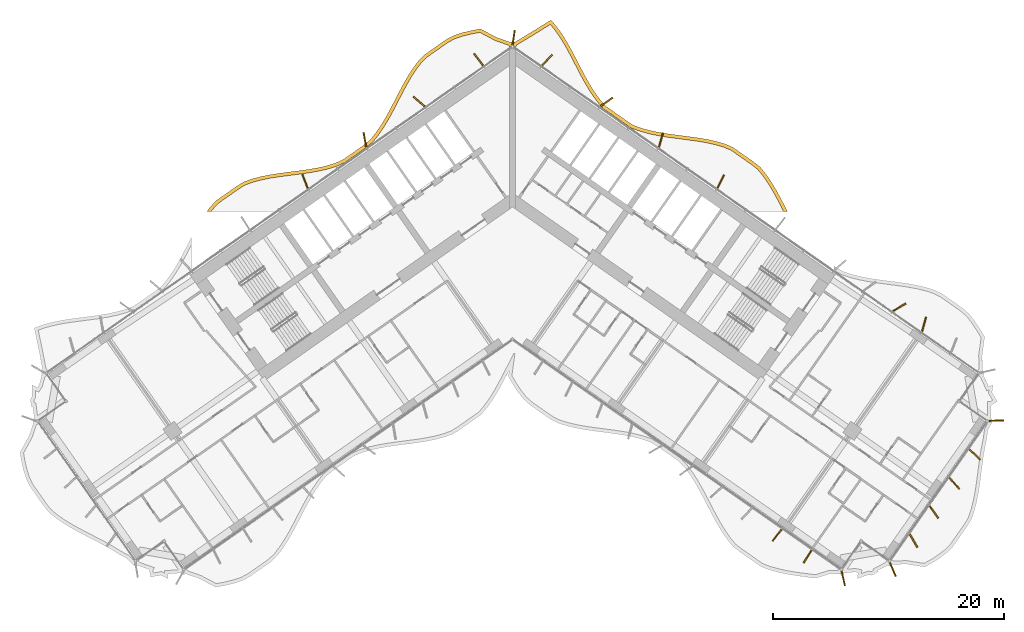
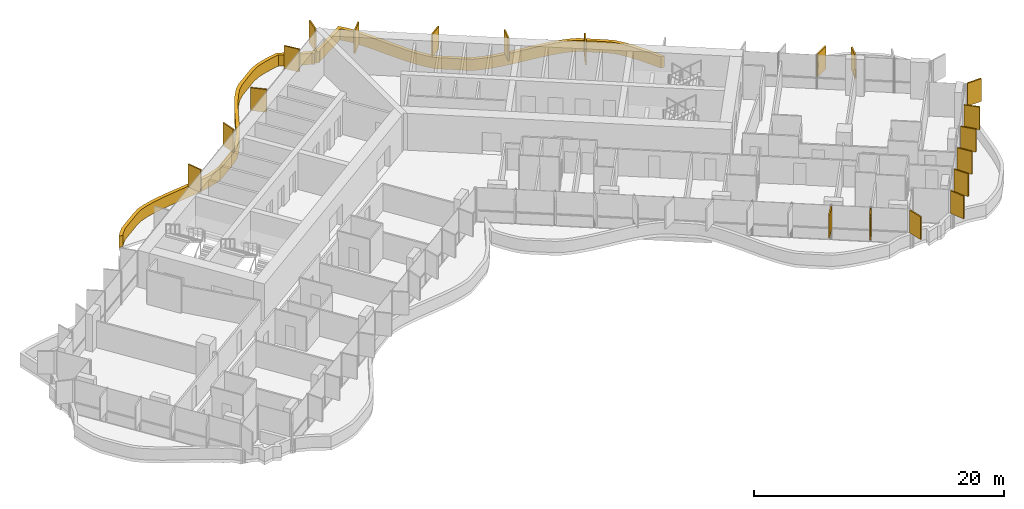
# One storey, part 22 of 23: 21 shading devices.
"""IFC4 building model written with IfcOpenShell, lengths in metres."""

import ifcopenshell
import ifcopenshell.guid

model = None  # the IFC model being written
_history = None  # IfcOwnerHistory: only IFC2X3 demands one
_inside = {}  # id of a spatial element -> (the spatial element, [elements in it])
_under = {}  # id of a project, library or spatial element -> (it, [spatial elements below it])
_declared = {}  # id of a project -> (the project, [libraries it declares])
_typed = {}  # id of a type object -> (the type object, [elements of that type])
_made_of = {}  # id of a material, layer set ... -> (it, [elements and type objects made of it])


def new_model(schema):
    """Start an empty IFC model of exactly this schema.

    Asked for "IFC4X3", IfcOpenShell would pick the latest addendum, in which some entities
    have other attributes; the version numbers below select the first issue.
    IFC2X3 requires an IfcOwnerHistory on every rooted entity: one is made here for all.
    """
    global model, _history
    if schema == "IFC4X3":
        model = ifcopenshell.file(schema_version=(4, 3, 0, 0))
    else:
        model = ifcopenshell.file(schema=schema)
    _inside.clear()
    _under.clear()
    _declared.clear()
    _typed.clear()
    _made_of.clear()
    _history = None
    if model.schema == "IFC2X3":
        org = make("IfcOrganization", Name="unknown")
        user = make(
            "IfcPersonAndOrganization",
            ThePerson=make("IfcPerson", FamilyName="unknown"),
            TheOrganization=org,
        )
        app = make(
            "IfcApplication",
            ApplicationDeveloper=org,
            Version="unknown",
            ApplicationFullName="unknown",
            ApplicationIdentifier="unknown",
        )
        _history = make(
            "IfcOwnerHistory",
            OwningUser=user,
            OwningApplication=app,
            ChangeAction="ADDED",
            CreationDate=0,
        )
    return model


def make(cls, **values):
    """One entity of the class cls with the attributes given. An attribute that is None is left unset."""
    return model.create_entity(
        cls, **{name: value for name, value in values.items() if value is not None}
    )


def rooted(cls, **values):
    """An entity with a GlobalId (a new one), such as an element, a storey or a relation."""
    return make(cls, GlobalId=ifcopenshell.guid.new(), OwnerHistory=_history, **values)


def si_unit(unit_type, name, prefix=None):
    """IfcSIUnit, for example si_unit("LENGTHUNIT", "METRE", prefix="MILLI")."""
    return make("IfcSIUnit", UnitType=unit_type, Prefix=prefix, Name=name)


def assignment(units):
    """IfcUnitAssignment: the units of a project."""
    return None if units is None else make("IfcUnitAssignment", Units=units)


def point(xyz):
    """IfcCartesianPoint."""
    return None if xyz is None else make("IfcCartesianPoint", Coordinates=xyz)


def direction(xyz):
    """IfcDirection."""
    return None if xyz is None else make("IfcDirection", DirectionRatios=xyz)


def frame(location, z_axis=None, x_axis=None):
    """IfcAxis2Placement3D, a coordinate frame: its origin and axes. An axis left out is left unset."""
    return make(
        "IfcAxis2Placement3D",
        Location=point(location),
        Axis=direction(z_axis),
        RefDirection=direction(x_axis),
    )


def frame_2d(location, x_axis=None):
    """IfcAxis2Placement2D, a coordinate frame in the plane: its origin and x axis."""
    return make(
        "IfcAxis2Placement2D", Location=point(location), RefDirection=direction(x_axis)
    )


def origin():
    """The frame at (0, 0, 0) with its axes left unset."""
    return frame((0.0, 0.0, 0.0))


def origin_2d():
    """The frame at (0, 0) in the plane with its x axis left unset."""
    return frame_2d((0.0, 0.0))


def place(relative_to, where):
    """IfcLocalPlacement: puts the frame where relative to a parent placement (None: the world)."""
    return make(
        "IfcLocalPlacement", PlacementRelTo=relative_to, RelativePlacement=where
    )


def context(
    kind, dimensions, precision=None, world=None, true_north=None, identifier=None
):
    """IfcGeometricRepresentationContext, for example the 3D "Model" context."""
    return make(
        "IfcGeometricRepresentationContext",
        ContextIdentifier=identifier,
        ContextType=kind,
        CoordinateSpaceDimension=dimensions,
        Precision=precision,
        WorldCoordinateSystem=world,
        TrueNorth=true_north,
    )


def subcontext(parent, identifier, kind, view, scale=None):
    """IfcGeometricRepresentationSubContext, for example "Body" below "Model"."""
    return make(
        "IfcGeometricRepresentationSubContext",
        ContextIdentifier=identifier,
        ContextType=kind,
        ParentContext=parent,
        TargetScale=scale,
        TargetView=view,
    )


def project(units=None, contexts=None):
    """IfcProject with its units and contexts."""
    return rooted(
        "IfcProject",
        Name="project",
        RepresentationContexts=contexts,
        UnitsInContext=assignment(units),
    )


def spatial(cls, under=None, at=None, **own):
    """A site, building, storey or space (cls), placed at a placement, below another one or the project."""
    s = rooted(cls, ObjectPlacement=at, **own)
    if under is not None:
        _under.setdefault(under.id(), (under, []))[1].append(s)
    return s


def polyline(points):
    """IfcPolyline through the points."""
    return make("IfcPolyline", Points=[point(p) for p in points])


def profile(cls, at=None, kind="AREA", **sizes):
    """A parametric profile (cls). Its sizes go by their IFC names, for example OverallWidth=200.0."""
    return make(cls, ProfileType=kind, Position=at, **sizes)


def rectangle(**sizes):
    """IfcRectangleProfileDef."""
    return profile("IfcRectangleProfileDef", **sizes)


def outline(outer, holes=None, kind="AREA"):
    """IfcArbitraryClosedProfileDef: a profile drawn as a closed curve; with holes, ...WithVoids."""
    if holes is None:
        return make("IfcArbitraryClosedProfileDef", ProfileType=kind, OuterCurve=outer)
    return make(
        "IfcArbitraryProfileDefWithVoids",
        ProfileType=kind,
        OuterCurve=outer,
        InnerCurves=holes,
    )


def extrude(swept, where, along, depth):
    """IfcExtrudedAreaSolid: the profile swept, set in the frame where, extruded along a direction by depth."""
    return make(
        "IfcExtrudedAreaSolid",
        SweptArea=swept,
        Position=where,
        ExtrudedDirection=direction(along),
        Depth=depth,
    )


def shape(context_of_items, identifier, shape_type, items):
    """IfcShapeRepresentation: the items that make up one representation, for example the "Body"."""
    return make(
        "IfcShapeRepresentation",
        ContextOfItems=context_of_items,
        RepresentationIdentifier=identifier,
        RepresentationType=shape_type,
        Items=items,
    )


def material(Name=None, Category=None):
    """IfcMaterial."""
    return make("IfcMaterial", Name=Name, Category=Category)


def layer(
    of_material, thickness, ventilated=None, Name=None, Category=None, Priority=None
):
    """IfcMaterialLayer: one layer of a wall or slab, of a material (None: an air gap)."""
    return make(
        "IfcMaterialLayer",
        Material=of_material,
        LayerThickness=thickness,
        IsVentilated=ventilated,
        Name=Name,
        Category=Category,
        Priority=Priority,
    )


def layer_set(layers, Name=None):
    """IfcMaterialLayerSet."""
    return make("IfcMaterialLayerSet", MaterialLayers=layers, LayerSetName=Name)


def made_of(thing, what):
    """Note that an element or type object is made of a material, layer set ...; save() writes the relation."""
    if what is not None:
        _made_of.setdefault(what.id(), (what, []))[1].append(thing)
    return thing


def type_object(cls, material=None, **own):
    """A type object (cls), such as IfcWallType, which elements share."""
    return made_of(rooted(cls, **own), material)


def element(
    cls,
    number,
    at=None,
    inside=None,
    cuts=None,
    type_object=None,
    material=None,
    context=None,
    identifier="Body",
    shape_type=None,
    held_by="IfcProductDefinitionShape",
    body=None,
    shapes=None,
    **own,
):
    """One element of the class cls, such as IfcWall. Its Tag is "e" and its number.

    at: its placement. inside: the storey or other place that contains it. cuts: it is an
    opening in that element (IfcRelVoidsElement). A single representation is given by context,
    identifier, shape_type and body (its items); several are given by shapes. held_by: the class
    of the entity that holds the representations. save() writes the other relations.
    """
    e = rooted(cls, Tag="e%d" % number, ObjectPlacement=at, **own)
    if body is not None:
        shapes = [shape(context, identifier, shape_type, body)]
    if shapes is not None:
        e.Representation = make(held_by, Representations=shapes)
    if inside is not None:
        _inside.setdefault(inside.id(), (inside, []))[1].append(e)
    if cuts is not None:
        rooted(
            "IfcRelVoidsElement", RelatingBuildingElement=cuts, RelatedOpeningElement=e
        )
    if type_object is not None:
        _typed.setdefault(type_object.id(), (type_object, []))[1].append(e)
    return made_of(e, material)


def aggregate(whole, parts):
    """IfcRelAggregates: a whole, such as a stair, and the parts it consists of."""
    return rooted("IfcRelAggregates", RelatingObject=whole, RelatedObjects=parts)


def save(model, path):
    """Write the relations noted so far, then the file.

    IfcRelAggregates (storeys below a building ...), IfcRelContainedInSpatialStructure (elements
    in a storey), IfcRelDefinesByType, IfcRelAssociatesMaterial and IfcRelDeclares: one each for
    every whole, place, type object, material and project.
    """
    for whole, parts in _under.values():
        aggregate(whole, parts)
    for where, things in _inside.values():
        rooted(
            "IfcRelContainedInSpatialStructure",
            RelatedElements=things,
            RelatingStructure=where,
        )
    for kind, things in _typed.values():
        rooted("IfcRelDefinesByType", RelatedObjects=things, RelatingType=kind)
    for what, things in _made_of.values():
        rooted("IfcRelAssociatesMaterial", RelatedObjects=things, RelatingMaterial=what)
    for by, libraries in _declared.values():
        rooted("IfcRelDeclares", RelatingContext=by, RelatedDefinitions=libraries)
    model.write(path)


model = new_model("IFC4")

# Units and contexts
model_context = context("Model", 3, precision=1e-05, world=origin(), true_north=direction((0.0, 1.0)))
body_context = subcontext(model_context, "Body", "Model", "MODEL_VIEW")
ifc_project = project(units=[si_unit("LENGTHUNIT", "METRE"), si_unit("AREAUNIT", "SQUARE_METRE"), si_unit("VOLUMEUNIT", "CUBIC_METRE"), si_unit("PLANEANGLEUNIT", "RADIAN"), si_unit("MASSUNIT", "GRAM", prefix="KILO")], contexts=[model_context])

# Site, building, storey
site_placement = place(None, origin())
site = spatial("IfcSite", under=ifc_project, at=site_placement, CompositionType="ELEMENT")
building_placement = place(site_placement, origin())
building = spatial("IfcBuilding", under=site, at=building_placement, Name="Tel Ilan Convention Tower", CompositionType="ELEMENT")
storey_placement = place(building_placement, frame((0.0, 0.0, 112.10009765625)))
storey = spatial("IfcBuildingStorey", under=building, at=storey_placement, Name="L24", CompositionType="ELEMENT", Elevation=112.10009765625)

# Shading devices
ifc_material_1 = material(Name="Aluminium, bronze anodised", Category="aluminium")
ifc_layer_1 = layer(ifc_material_1, 0.1201171875)
ifc_layer_set_1 = layer_set([ifc_layer_1], Name="FIN BRONZE 1300x120")
shading_device_type_1 = type_object("IfcShadingDeviceType", Name="FIN BRONZE 1300x120", PredefinedType="USERDEFINED", material=ifc_layer_set_1)
for number, where, z_axis, x_axis, name in (
    (1, (18.054931640625, 0.97119140625, 1.10009765625), (0.0, 0.0, 1.0), (0.448799180206, 0.893632640321, 0.0), "FIN"),
    (2, (12.8701171875, 4.578369140625, 1.10009765625), (0.0, 0.0, 1.0), (0.268172612768, 0.963370878614, 0.0), "FIN"),
    (3, (8.150634765625, 7.883056640625, 1.10009765625), (0.0, 0.0, 1.0), (0.813552070258, 0.581492071294, 0.0), "FIN"),
    (4, (2.98779296875, 11.521240234375, 1.10009765625), (0.0, 0.0, 1.0), (0.686241637865, 0.727373641577, 0.0), "FIN"),
    (5, (0.09423828125, 13.469482421875, 1.10009765625), (0.0, 0.0, 1.0), (0.144931859301, 0.989441638582, 0.0), "FIN"),
    (6, (-2.9365234375, 11.557373046875, 1.10009765625), (0.0, 0.0, 1.0), (-0.612600545196, 0.790392669516, 0.0), "FIN"),
    (7, (-8.1083984375, 7.927734375, 1.10009765625), (0.0, 0.0, 1.0), (-0.753435896329, 0.657521368568, 0.0), "FIN"),
    (8, (-12.811767578125, 4.5966796875, 1.10009765625), (0.0, 0.0, 1.0), (-0.173648177667, 0.984807753012, 0.0), "FIN"),
    (9, (-18.00048828125, 1.001220703125, 1.10009765625), (0.0, 0.0, 1.0), (-0.360177724803, 0.932883704733, 0.0), "FIN"),
    (10, (22.9560546875, -29.6875, 1.10009765625), (0.0, 0.0, 1.0), (-0.612600545196, -0.790392669516, 0.0), "FIN"),
    (11, (25.6025390625, -31.540771484375, 1.10009765625), (0.0, 0.0, 1.0), (-0.533204432798, -0.845986425922, 0.0), "FIN"),
    (12, (28.68994140625, -33.4423828125, 1.10009765625), (0.0, 0.0, 1.0), (0.221170268371, -0.975235208752, 0.0), "FIN"),
    (13, (32.989501953125, -32.67724609375, 1.10009765625), (0.0, 0.0, 1.0), (0.404964282034, -0.914332505315, 0.0), "FIN"),
    (14, (34.7900390625, -30.18896484375, 1.10009765625), (0.0, 0.0, 1.0), (0.5, -0.866025403784, 0.0), "FIN"),
    (15, (36.559326171875, -27.6943359375, 1.10009765625), (0.0, 0.0, 1.0), (0.581492071294, -0.813552070258, 0.0), "FIN"),
    (16, (38.32470703125, -25.194580078125, 1.10009765625), (0.0, 0.0, 1.0), (0.657521368568, -0.753435896329, 0.0), "FIN"),
    (17, (40.086181640625, -22.690185546875, 1.10009765625), (0.0, 0.0, 1.0), (0.727373641577, -0.686241637865, 0.0), "FIN"),
    (18, (41.9853515625, -19.76171875, 1.10009765625), (0.0, 0.0, 1.0), (0.999576950082, 0.029084718749, 0.0), "FIN"),
    (19, (35.702392578125, -11.408935546875, 1.10009765625), (0.0, 0.0, 1.0), (0.268172612768, 0.963370878614, 0.0), "FIN"),
    (20, (33.55712890625, -9.929443359375, 1.10009765625), (0.0, 0.0, 1.0), (0.866025403784, 0.5, 0.0), "FIN"),
):
    element("IfcShadingDevice", number, at=place(storey_placement, frame(where, z_axis=z_axis, x_axis=x_axis)), inside=storey, type_object=shading_device_type_1, Name=name, ObjectType="FIN", PredefinedType="USERDEFINED", context=body_context, shape_type="SweptSolid", body=[
        extrude(rectangle(XDim=1.300048828125, YDim=0.1201171875, at=origin_2d()), origin(), (0.0, 0.0, 1.0), 2.219970703125),
    ])
ifc_material_2 = material(Name="Aluminium, bronze anodised", Category="aluminium")
ifc_layer_2 = layer(ifc_material_2, 0.300048828125)
ifc_layer_set_2 = layer_set([ifc_layer_2], Name="LOUVRE BAND 300x1100")
shading_device_type_2 = type_object("IfcShadingDeviceType", Name="LOUVRE BAND 300x1100", PredefinedType="USERDEFINED", material=ifc_layer_set_2)
shading_device_placement = place(storey_placement, origin())
element("IfcShadingDevice", 21, at=shading_device_placement, inside=storey, type_object=shading_device_type_2, Name="LOUVRE BAND 20.02", ObjectType="LOUVRE", PredefinedType="USERDEFINED", context=body_context, shape_type="SweptSolid", body=[
    extrude(outline(polyline([(-26.25927734375, -1.2568359375), (-26.53369140625, -1.631591796875), (-26.161865234375, -1.631591796875), (-26.0263671875, -1.44677734375), (-25.550048828125, -0.921630859375), (-23.767333984375, 0.32666015625), (-23.172119140625, 0.69384765625), (-22.488037109375, 0.931884765625), (-21.74560546875, 1.12646484375), (-20.9677734375, 1.28076171875), (-20.1630859375, 1.405517578125), (-18.510009765625, 1.619140625), (-17.68115234375, 1.73583984375), (-16.864013671875, 1.8779296875), (-16.0673828125, 2.058837890625), (-15.293212890625, 2.292236328125), (-14.563232421875, 2.620849609375), (-12.711669921875, 3.91748046875), (-12.110595703125, 4.42333984375), (-11.60400390625, 5.05859375), (-11.148193359375, 5.729736328125), (-10.724853515625, 6.43798828125), (-10.325439453125, 7.1708984375), (-9.557861328125, 8.65576171875), (-9.169921875, 9.37939453125), (-8.76708984375, 10.072509765625), (-8.3408203125, 10.72265625), (-7.890380859375, 11.3125), (-7.3837890625, 11.798583984375), (-5.60009765625, 13.047607421875), (-4.982177734375, 13.37744140625), (-4.2822265625, 13.604248046875), (-3.5302734375, 13.78759765625), (-2.8408203125, 13.914306640625), (-1.48388671875, 13.200927734375), (-0.362060546875, 12.812255859375), (-0.24609375, 12.646728515625), (0.0, 12.818115234375), (0.24609375, 12.646728515625), (0.38134765625, 12.839599609375), (1.88916015625, 13.747314453125), (3.271728515625, 14.607177734375), (3.593017578125, 14.232666015625), (4.037353515625, 13.614990234375), (4.454345703125, 12.947998046875), (4.8505859375, 12.2421875), (6.0068359375, 10.025390625), (6.4140625, 9.2998046875), (6.84814453125, 8.603759765625), (7.318115234375, 7.94921875), (7.845947265625, 7.3291015625), (9.697021484375, 6.0283203125), (10.3486328125, 5.60009765625), (11.1142578125, 5.323974609375), (11.8935546875, 5.112060546875), (12.69873046875, 4.94677734375), (13.521240234375, 4.815673828125), (15.99755859375, 4.4873046875), (16.79345703125, 4.35302734375), (17.559326171875, 4.18505859375), (18.284423828125, 3.97412109375), (18.94091796875, 3.7060546875), (20.723876953125, 2.457763671875), (21.272216796875, 2.02392578125), (21.729736328125, 1.462646484375), (22.166748046875, 0.83154296875), (22.57763671875, 0.153564453125), (22.97021484375, -0.56005859375), (23.52587890625, -1.631591796875), (23.86328125, -1.631591796875), (23.23486328125, -0.41845703125), (22.837646484375, 0.303466796875), (22.418701171875, 0.99462890625), (21.9697265625, 1.64306640625), (21.484130859375, 2.239013671875), (20.903076171875, 2.698486328125), (19.08544921875, 3.97119140625), (18.38330078125, 4.2578125), (17.63330078125, 4.47607421875), (16.8505859375, 4.647705078125), (16.043212890625, 4.783935546875), (13.564697265625, 5.112548828125), (12.75244140625, 5.241943359375), (11.963134765625, 5.404052734375), (11.20458984375, 5.610107421875), (10.483642578125, 5.8701171875), (9.865478515625, 6.276611328125), (8.050048828125, 7.55224609375), (7.5546875, 8.134033203125), (7.09765625, 8.770751953125), (6.672119140625, 9.452880859375), (6.2705078125, 10.168701171875), (5.1142578125, 12.385498046875), (4.71240234375, 13.100830078125), (4.28662109375, 13.7822265625), (3.8291015625, 14.418212890625), (3.331787109375, 14.997802734375), (1.732666015625, 14.003173828125), (0.168701171875, 13.059326171875), (0.11474609375, 13.09521484375), (0.0, 13.1181640625), (-0.11474609375, 13.09521484375), (-0.168701171875, 13.059326171875), (-1.3642578125, 13.47705078125), (-2.79296875, 14.228271484375), (-3.593017578125, 14.0810546875), (-4.364013671875, 13.89306640625), (-5.099853515625, 13.654541015625), (-5.75732421875, 13.3037109375), (-7.57470703125, 12.031005859375), (-8.11474609375, 11.512939453125), (-8.585693359375, 10.896240234375), (-9.022216796875, 10.230224609375), (-9.431884765625, 9.52587890625), (-9.823486328125, 8.79541015625), (-10.59033203125, 7.311767578125), (-10.985595703125, 6.586669921875), (-11.401123046875, 5.89111328125), (-11.845703125, 5.236572265625), (-12.326416015625, 4.633544921875), (-12.89453125, 4.155517578125), (-14.712158203125, 2.8828125), (-15.398681640625, 2.573974609375), (-16.14404296875, 2.34912109375), (-16.923095703125, 2.172119140625), (-17.727783203125, 2.0322265625), (-18.5498046875, 1.91650390625), (-20.20556640625, 1.70263671875), (-21.02001953125, 1.576171875), (-21.812744140625, 1.4189453125), (-22.57568359375, 1.218994140625), (-23.301513671875, 0.96630859375), (-23.93212890625, 0.577392578125), (-25.749755859375, -0.695068359375), (-26.25927734375, -1.2568359375)])), origin(), (0.0, 0.0, 1.0), 1.099853515625),
])

save(model, "model.ifc")
